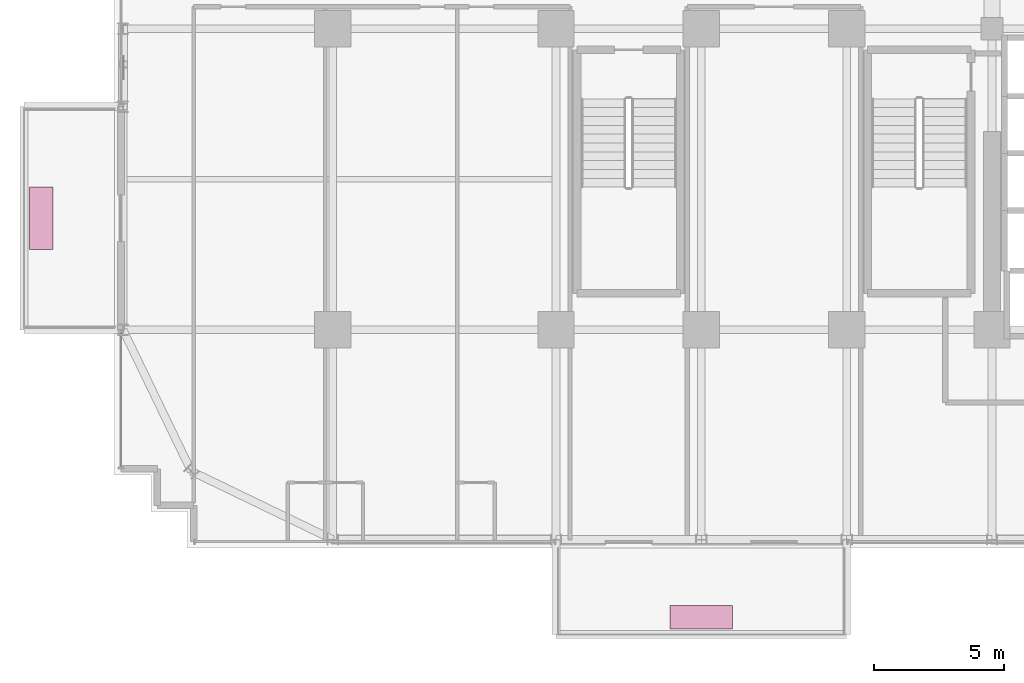
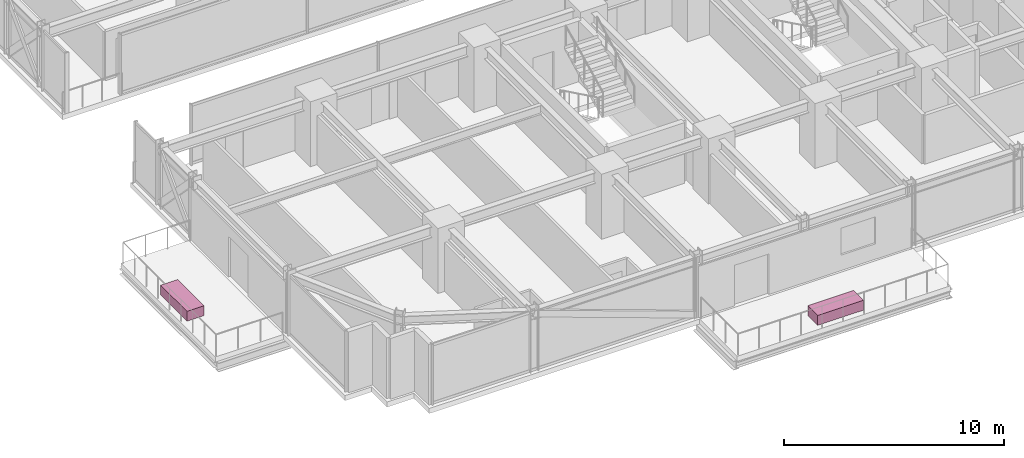
# One storey, part 38 of 38: 2 furnishings.
"""IFC4 building model written with IfcOpenShell, lengths in metres."""

from ifc_helpers import new_model, si_unit, direction, frame, origin, origin_2d, place, context, subcontext, project, spatial, rectangle, extrude, source, transform, mapped, material, type_object, element, save


model = new_model("IFC4")

# Units and contexts
model_context = context("Model", 3, precision=1e-05, world=origin(), true_north=direction((0.0, 1.0)))
body_context = subcontext(model_context, "Body", "Model", "MODEL_VIEW")
ifc_project = project(units=[si_unit("LENGTHUNIT", "METRE"), si_unit("AREAUNIT", "SQUARE_METRE"), si_unit("VOLUMEUNIT", "CUBIC_METRE"), si_unit("PLANEANGLEUNIT", "RADIAN"), si_unit("MASSUNIT", "GRAM", prefix="KILO")], contexts=[model_context])

# Site, building, storey
site_placement = place(None, origin())
site = spatial("IfcSite", under=ifc_project, at=site_placement, CompositionType="ELEMENT")
building_placement = place(site_placement, origin())
building = spatial("IfcBuilding", under=site, at=building_placement, Name="Nahalor Promenade Grand Hotel", CompositionType="ELEMENT")
storey_placement = place(building_placement, frame((0.0, 0.0, 50.64990234375)))
storey = spatial("IfcBuildingStorey", under=building, at=storey_placement, Name="L11", CompositionType="ELEMENT", Elevation=50.64990234375)

# Furnishings
ifc_material = material(Name="Vegetated Volcanic-Lapilli Tree Planter", Category="earth")
furnishing_element_type = type_object("IfcFurnishingElementType", Name="Planter-VerticalForest-Box", material=ifc_material)
shared_shape = source(origin(), body_context, "Body", "SweptSolid", [
    extrude(rectangle(XDim=2.39990234375, YDim=0.89990234375, at=origin_2d()), origin(), (0.0, 0.0, 1.0), 0.550048828125),
])
for number, where, z_axis, x_axis, name in (
    (1, (-2.800048828125, -28.070068359375, 0.0), (0.0, 0.0, 1.0), (1.0, 0.0, 0.0), "L11 Balcony Structural Tree Planter 1"),
    (2, (-28.22998046875, -12.699951171875, 0.0), (0.0, 0.0, 1.0), (0.0, 1.0, 0.0), "L11 Balcony Structural Tree Planter 2"),
):
    element("IfcFurnishingElement", number, at=place(storey_placement, frame(where, z_axis=z_axis, x_axis=x_axis)), inside=storey, type_object=furnishing_element_type, Name=name, ObjectType="PLANTER", context=body_context, shape_type="MappedRepresentation", body=[
        mapped(shared_shape, transform((0.0, 0.0, 0.0), scale=1.0)),
    ])

save(model, "model.ifc")
